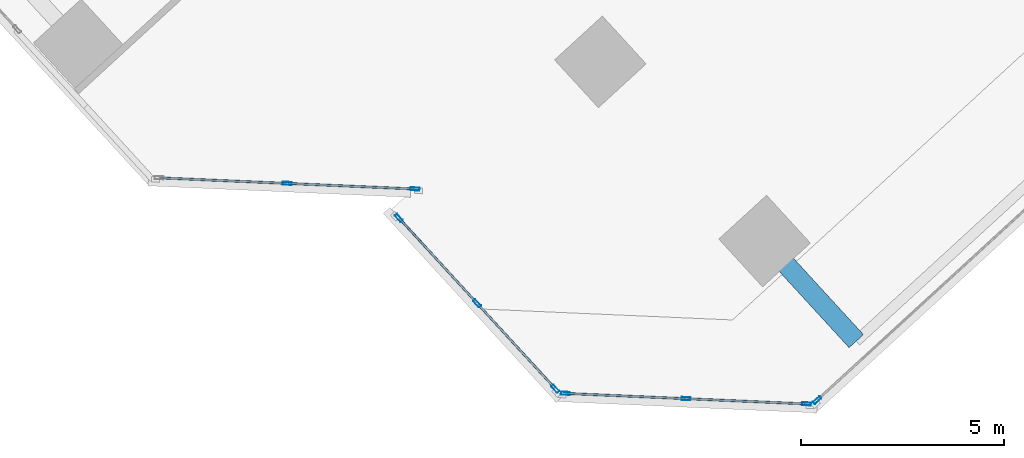
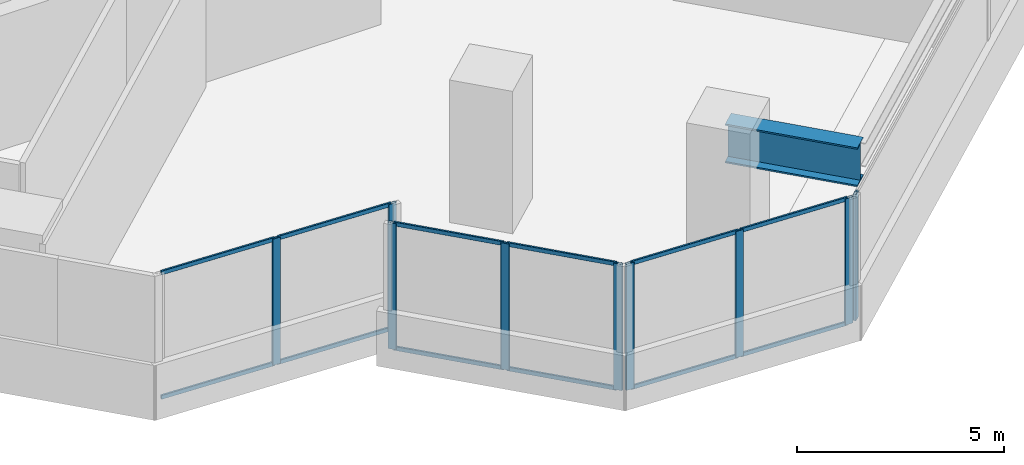
# One storey, part 3 of 17: 21 members, 1 beam, 4 elements without a shape of their own.
"""IFC4 building model written with IfcOpenShell, lengths in metres."""

from ifc_helpers import new_model, si_unit, direction, frame, origin, origin_2d, place, context, subcontext, project, spatial, hollow_rectangle, i_section, extrude, source, transform, mapped, material, material_profile, profile_set, type_object, element, aggregate, save


model = new_model("IFC4")

# Units and contexts
model_context = context("Model", 3, precision=1e-05, world=origin(), true_north=direction((0.0, 1.0)))
body_context = subcontext(model_context, "Body", "Model", "MODEL_VIEW")
ifc_project = project(units=[si_unit("LENGTHUNIT", "METRE"), si_unit("AREAUNIT", "SQUARE_METRE"), si_unit("VOLUMEUNIT", "CUBIC_METRE"), si_unit("PLANEANGLEUNIT", "RADIAN"), si_unit("MASSUNIT", "GRAM", prefix="KILO")], contexts=[model_context])

# Site, building, storey
site_placement = place(None, origin())
site = spatial("IfcSite", under=ifc_project, at=site_placement, CompositionType="ELEMENT")
building_placement = place(site_placement, origin())
building = spatial("IfcBuilding", under=site, at=building_placement, Name="Torre Montelarca", CompositionType="ELEMENT")
storey_placement = place(building_placement, frame((0.0, 0.0, 254.199951171875)))
storey = spatial("IfcBuildingStorey", under=building, at=storey_placement, Name="L57", CompositionType="ELEMENT", Elevation=254.199951171875)

# Beam
ifc_material_1 = material(Name="Steel ASTM A572 Grade 50", Category="steel")
ifc_material_profile_1 = material_profile(ifc_material_1, i_section(OverallWidth=0.47998046875, OverallDepth=1.14990234375, WebThickness=0.02197265625, FlangeThickness=0.044921875, at=origin_2d()), Name="PG1150X480X22X45", Category="steel")
ifc_profile_set_1 = profile_set([ifc_material_profile_1], Name="Steel ASTM A572 Grade 50")
beam_type = type_object("IfcBeamType", Name="BM-CG-PG1400-EXT", PredefinedType="USERDEFINED", material=ifc_profile_set_1)
shared_shape_1 = source(origin(), body_context, "Body", "SweptSolid", [
    extrude(i_section(OverallWidth=0.47998046875, OverallDepth=1.14990234375, WebThickness=0.02197265625, FlangeThickness=0.044921875, at=origin_2d()), origin(), (0.0, 0.0, 1.0), 3.35009765625),
])
beam_placement = place(storey_placement, frame((29.451416015625, 11.481201171875, 3.385009765625), z_axis=(0.675569509367, -0.737296302726, 0.0), x_axis=(0.737296302726, 0.675569509367, 0.0)))
element("IfcBeam", 1, at=beam_placement, inside=storey, type_object=beam_type, Name="L57 Sliding Tray Cantilever Girder East Y=24m (FLR)", ObjectType="CANTILEVER GIRDER", PredefinedType="USERDEFINED", context=body_context, shape_type="MappedRepresentation", body=[
    mapped(shared_shape_1, transform((0.0, 0.0, 0.0), scale=1.0)),
])

# Curtain wall, members
ifc_material_2 = material(Name="Insulated low-E laminated glass", Category="glass")
curtain_wall_type = type_object("IfcCurtainWallType", Name="CW-SYS-Z3", PredefinedType="USERDEFINED", material=ifc_material_2)
curtain_wall_1_placement = place(storey_placement, origin())
curtain_wall_1 = element("IfcCurtainWall", 2, at=curtain_wall_1_placement, inside=storey, type_object=curtain_wall_type, Name="L57 Curtain Wall Run CW-T3-L57-E02-B1", ObjectType="UNITISED GLAZING", PredefinedType="USERDEFINED")
ifc_material_3 = material(Name="Anodised aluminium AA 6063-T6", Category="aluminium")
ifc_material_profile_2 = material_profile(ifc_material_3, hollow_rectangle(XDim=0.054931640625, YDim=0.1201171875, WallThickness=0.00341796875, InnerFilletRadius=0.00341796875, OuterFilletRadius=0.007080078125, at=origin_2d()), Name="ALU55X120X3.5", Category="aluminium")
ifc_profile_set_2 = profile_set([ifc_material_profile_2], Name="Anodised aluminium AA 6063-T6")
member_type_1 = type_object("IfcMemberType", Name="CWT-ALU120", PredefinedType="USERDEFINED", material=ifc_profile_set_2)
shared_shape_2 = source(origin(), body_context, "Body", "SweptSolid", [
    extrude(hollow_rectangle(XDim=0.054931640625, YDim=0.1201171875, WallThickness=0.00341796875, InnerFilletRadius=0.00341796875, OuterFilletRadius=0.007080078125, at=origin_2d()), origin(), (0.0, 0.0, 1.0), 3.08740234375),
])
member_1_placement = place(storey_placement, frame((17.702880859375, 12.90283203125, 0.027587890625), z_axis=(0.999046885294, -0.043649982641, 0.0), x_axis=(0.043649982641, 0.999046885294, 0.0)))
member_1 = element("IfcMember", 3, at=member_1_placement, type_object=member_type_1, Name="CW transom 2.1", ObjectType="TRANSOM", PredefinedType="USERDEFINED", context=body_context, shape_type="MappedRepresentation", body=[
    mapped(shared_shape_2, transform((0.0, 0.0, 0.0), scale=1.0)),
])
member_2_placement = place(storey_placement, frame((17.702880859375, 12.90283203125, 3.692626953125), z_axis=(0.999046885294, -0.043649982641, 0.0), x_axis=(0.043649982641, 0.999046885294, 0.0)))
member_2 = element("IfcMember", 4, at=member_2_placement, type_object=member_type_1, Name="CW transom 2.2", ObjectType="TRANSOM", PredefinedType="USERDEFINED", context=body_context, shape_type="MappedRepresentation", body=[
    mapped(shared_shape_2, transform((0.0, 0.0, 0.0), scale=1.0)),
])

curtain_wall_2_placement = place(storey_placement, origin())
curtain_wall_2 = element("IfcCurtainWall", 5, at=curtain_wall_2_placement, inside=storey, type_object=curtain_wall_type, Name="L57 Curtain Wall Run CW-T3-L57-E05-B1", ObjectType="UNITISED GLAZING", PredefinedType="USERDEFINED")
shared_shape_3 = source(origin(), body_context, "Body", "SweptSolid", [
    extrude(hollow_rectangle(XDim=0.054931640625, YDim=0.1201171875, WallThickness=0.00341796875, InnerFilletRadius=0.00341796875, OuterFilletRadius=0.007080078125, at=origin_2d()), origin(), (0.0, 0.0, 1.0), 2.903564453125),
])
member_3_placement = place(storey_placement, frame((24.57373046875, 7.718994140625, 0.027587890625), z_axis=(0.999047412839, -0.043637906688, 0.0), x_axis=(0.043637906688, 0.999047412839, 0.0)))
member_3 = element("IfcMember", 6, at=member_3_placement, type_object=member_type_1, Name="CW transom 1.1", ObjectType="TRANSOM", PredefinedType="USERDEFINED", context=body_context, shape_type="MappedRepresentation", body=[
    mapped(shared_shape_3, transform((0.0, 0.0, 0.0), scale=1.0)),
])
member_4_placement = place(storey_placement, frame((24.57373046875, 7.718994140625, 3.692626953125), z_axis=(0.999047412839, -0.043637906688, 0.0), x_axis=(0.043637906688, 0.999047412839, 0.0)))
member_4 = element("IfcMember", 7, at=member_4_placement, type_object=member_type_1, Name="CW transom 1.2", ObjectType="TRANSOM", PredefinedType="USERDEFINED", context=body_context, shape_type="MappedRepresentation", body=[
    mapped(shared_shape_3, transform((0.0, 0.0, 0.0), scale=1.0)),
])
member_5_placement = place(storey_placement, frame((27.549560546875, 7.589111328125, 0.027587890625), z_axis=(0.999047412839, -0.043637906688, 0.0), x_axis=(0.043637906688, 0.999047412839, 0.0)))
member_5 = element("IfcMember", 8, at=member_5_placement, type_object=member_type_1, Name="CW transom 2.1", ObjectType="TRANSOM", PredefinedType="USERDEFINED", context=body_context, shape_type="MappedRepresentation", body=[
    mapped(shared_shape_3, transform((0.0, 0.0, 0.0), scale=1.0)),
])
member_6_placement = place(storey_placement, frame((27.549560546875, 7.589111328125, 3.692626953125), z_axis=(0.999047412839, -0.043637906688, 0.0), x_axis=(0.043637906688, 0.999047412839, 0.0)))
member_6 = element("IfcMember", 9, at=member_6_placement, type_object=member_type_1, Name="CW transom 2.2", ObjectType="TRANSOM", PredefinedType="USERDEFINED", context=body_context, shape_type="MappedRepresentation", body=[
    mapped(shared_shape_3, transform((0.0, 0.0, 0.0), scale=1.0)),
])

# Member
ifc_material_profile_3 = material_profile(ifc_material_3, hollow_rectangle(XDim=0.074951171875, YDim=0.219970703125, WallThickness=0.0048828125, InnerFilletRadius=0.0048828125, OuterFilletRadius=0.010009765625, at=origin_2d()), Name="ALU75X220X5", Category="aluminium")
ifc_profile_set_3 = profile_set([ifc_material_profile_3], Name="Anodised aluminium AA 6063-T6")
member_type_2 = type_object("IfcMemberType", Name="CWM-ALU220", PredefinedType="MULLION", material=ifc_profile_set_3)
shared_shape_4 = source(origin(), body_context, "Body", "SweptSolid", [
    extrude(hollow_rectangle(XDim=0.074951171875, YDim=0.219970703125, WallThickness=0.0048828125, InnerFilletRadius=0.0048828125, OuterFilletRadius=0.010009765625, at=origin_2d()), origin(), (0.0, 0.0, 1.0), 3.719970703125),
])
member_7_placement = place(storey_placement, frame((17.665283203125, 12.904296875, 0.0), z_axis=(0.0, 0.0, 1.0), x_axis=(0.043610133473, 0.999048625573, 0.0)))
member_7 = element("IfcMember", 10, at=member_7_placement, type_object=member_type_2, Name="CW mullion 2", PredefinedType="MULLION", context=body_context, shape_type="MappedRepresentation", body=[
    mapped(shared_shape_4, transform((0.0, 0.0, 0.0), scale=1.0)),
])

member_8_placement = place(storey_placement, frame((20.82470703125, 12.766357421875, 0.0), z_axis=(0.0, 0.0, 1.0), x_axis=(0.043610133473, 0.999048625573, 0.0)))
member_8 = element("IfcMember", 11, at=member_8_placement, type_object=member_type_2, Name="CW mullion 3", PredefinedType="MULLION", context=body_context, shape_type="MappedRepresentation", body=[
    mapped(shared_shape_4, transform((0.0, 0.0, 0.0), scale=1.0)),
])

# Curtain wall, members
curtain_wall_3_placement = place(storey_placement, origin())
curtain_wall_3 = element("IfcCurtainWall", 12, at=curtain_wall_3_placement, inside=storey, type_object=curtain_wall_type, Name="L57 Curtain Wall Run CW-T3-L57-E04-B1", ObjectType="UNITISED GLAZING", PredefinedType="USERDEFINED")
member_9_placement = place(storey_placement, frame((20.423583984375, 12.052734375, 0.0), z_axis=(0.0, 0.0, 1.0), x_axis=(0.737293151819, 0.675572948157, 0.0)))
member_9 = element("IfcMember", 13, at=member_9_placement, type_object=member_type_2, Name="CW mullion 1", PredefinedType="MULLION", context=body_context, shape_type="MappedRepresentation", body=[
    mapped(shared_shape_4, transform((0.0, 0.0, 0.0), scale=1.0)),
])
member_10_placement = place(storey_placement, frame((22.354736328125, 9.945068359375, 0.0), z_axis=(0.0, 0.0, 1.0), x_axis=(0.737293151819, 0.675572948157, 0.0)))
member_10 = element("IfcMember", 14, at=member_10_placement, type_object=member_type_2, Name="CW mullion 2", PredefinedType="MULLION", context=body_context, shape_type="MappedRepresentation", body=[
    mapped(shared_shape_4, transform((0.0, 0.0, 0.0), scale=1.0)),
])
member_11_placement = place(storey_placement, frame((24.285888671875, 7.83740234375, 0.0), z_axis=(0.0, 0.0, 1.0), x_axis=(0.737293151819, 0.675572948157, 0.0)))
member_11 = element("IfcMember", 15, at=member_11_placement, type_object=member_type_2, Name="CW mullion 3", PredefinedType="MULLION", context=body_context, shape_type="MappedRepresentation", body=[
    mapped(shared_shape_4, transform((0.0, 0.0, 0.0), scale=1.0)),
])

# Member
member_12_placement = place(storey_placement, frame((24.536376953125, 7.720703125, 0.0), z_axis=(0.0, 0.0, 1.0), x_axis=(0.043615635968, 0.999048385364, 0.0)))
member_12 = element("IfcMember", 16, at=member_12_placement, type_object=member_type_2, Name="CW mullion 1", PredefinedType="MULLION", context=body_context, shape_type="MappedRepresentation", body=[
    mapped(shared_shape_4, transform((0.0, 0.0, 0.0), scale=1.0)),
])

member_13_placement = place(storey_placement, frame((27.51220703125, 7.5908203125, 0.0), z_axis=(0.0, 0.0, 1.0), x_axis=(0.043615635968, 0.999048385364, 0.0)))
member_13 = element("IfcMember", 17, at=member_13_placement, type_object=member_type_2, Name="CW mullion 2", PredefinedType="MULLION", context=body_context, shape_type="MappedRepresentation", body=[
    mapped(shared_shape_4, transform((0.0, 0.0, 0.0), scale=1.0)),
])

member_14_placement = place(storey_placement, frame((30.488037109375, 7.4609375, 0.0), z_axis=(0.0, 0.0, 1.0), x_axis=(0.043615635968, 0.999048385364, 0.0)))
member_14 = element("IfcMember", 18, at=member_14_placement, type_object=member_type_2, Name="CW mullion 3", PredefinedType="MULLION", context=body_context, shape_type="MappedRepresentation", body=[
    mapped(shared_shape_4, transform((0.0, 0.0, 0.0), scale=1.0)),
])

aggregate(curtain_wall_2, [member_12, member_13, member_14, member_3, member_4, member_5, member_6])

# Curtain wall, member
curtain_wall_4_placement = place(storey_placement, origin())
curtain_wall_4 = element("IfcCurtainWall", 19, at=curtain_wall_4_placement, inside=storey, type_object=curtain_wall_type, Name="L57 Curtain Wall Run CW-T3-L57-E06-B1", ObjectType="UNITISED GLAZING", PredefinedType="USERDEFINED")
member_15_placement = place(storey_placement, frame((30.74755859375, 7.555419921875, 0.0), z_axis=(0.0, 0.0, 1.0), x_axis=(-0.675587287841, 0.73728001228, 0.0)))
member_15 = element("IfcMember", 20, at=member_15_placement, type_object=member_type_2, Name="CW mullion 1", PredefinedType="MULLION", context=body_context, shape_type="MappedRepresentation", body=[
    mapped(shared_shape_4, transform((0.0, 0.0, 0.0), scale=1.0)),
])
aggregate(curtain_wall_4, [member_15])

# Member
shared_shape_5 = source(origin(), body_context, "Body", "SweptSolid", [
    extrude(hollow_rectangle(XDim=0.054931640625, YDim=0.1201171875, WallThickness=0.00341796875, InnerFilletRadius=0.00341796875, OuterFilletRadius=0.007080078125, at=origin_2d()), origin(), (0.0, 0.0, 1.0), 2.78369140625),
])
member_16_placement = place(storey_placement, frame((22.380126953125, 9.917236328125, 0.027587890625), z_axis=(0.675605470832, -0.737263350359, 0.0), x_axis=(0.737263350359, 0.675605470832, 0.0)))
member_16 = element("IfcMember", 21, at=member_16_placement, type_object=member_type_1, Name="CW transom 2.1", ObjectType="TRANSOM", PredefinedType="USERDEFINED", context=body_context, shape_type="MappedRepresentation", body=[
    mapped(shared_shape_5, transform((0.0, 0.0, 0.0), scale=1.0)),
])

member_17_placement = place(storey_placement, frame((22.380126953125, 9.917236328125, 3.692626953125), z_axis=(0.675605470832, -0.737263350359, 0.0), x_axis=(0.737263350359, 0.675605470832, 0.0)))
member_17 = element("IfcMember", 22, at=member_17_placement, type_object=member_type_1, Name="CW transom 2.2", ObjectType="TRANSOM", PredefinedType="USERDEFINED", context=body_context, shape_type="MappedRepresentation", body=[
    mapped(shared_shape_5, transform((0.0, 0.0, 0.0), scale=1.0)),
])

shared_shape_6 = source(origin(), body_context, "Body", "SweptSolid", [
    extrude(hollow_rectangle(XDim=0.054931640625, YDim=0.1201171875, WallThickness=0.00341796875, InnerFilletRadius=0.00341796875, OuterFilletRadius=0.007080078125, at=origin_2d()), origin(), (0.0, 0.0, 1.0), 3.087646484375),
])
member_18_placement = place(storey_placement, frame((14.543212890625, 13.04052734375, 0.027587890625), z_axis=(0.99905048067, -0.043567614947, 0.0), x_axis=(0.043567614947, 0.99905048067, 0.0)))
member_18 = element("IfcMember", 23, at=member_18_placement, type_object=member_type_1, Name="CW transom 1.1", ObjectType="TRANSOM", PredefinedType="USERDEFINED", context=body_context, shape_type="MappedRepresentation", body=[
    mapped(shared_shape_6, transform((0.0, 0.0, 0.0), scale=1.0)),
])

member_19_placement = place(storey_placement, frame((14.543212890625, 13.04052734375, 3.692626953125), z_axis=(0.99905048067, -0.043567614947, 0.0), x_axis=(0.043567614947, 0.99905048067, 0.0)))
member_19 = element("IfcMember", 24, at=member_19_placement, type_object=member_type_1, Name="CW transom 1.2", ObjectType="TRANSOM", PredefinedType="USERDEFINED", context=body_context, shape_type="MappedRepresentation", body=[
    mapped(shared_shape_6, transform((0.0, 0.0, 0.0), scale=1.0)),
])

aggregate(curtain_wall_1, [member_7, member_8, member_18, member_19, member_1, member_2])

shared_shape_7 = source(origin(), body_context, "Body", "SweptSolid", [
    extrude(hollow_rectangle(XDim=0.054931640625, YDim=0.1201171875, WallThickness=0.00341796875, InnerFilletRadius=0.00341796875, OuterFilletRadius=0.007080078125, at=origin_2d()), origin(), (0.0, 0.0, 1.0), 2.783447265625),
])
member_20_placement = place(storey_placement, frame((20.448974609375, 12.02490234375, 0.027587890625), z_axis=(0.675557792928, -0.737307038088, 0.0), x_axis=(0.737307038088, 0.675557792928, 0.0)))
member_20 = element("IfcMember", 25, at=member_20_placement, type_object=member_type_1, Name="CW transom 1.1", ObjectType="TRANSOM", PredefinedType="USERDEFINED", context=body_context, shape_type="MappedRepresentation", body=[
    mapped(shared_shape_7, transform((0.0, 0.0, 0.0), scale=1.0)),
])

member_21_placement = place(storey_placement, frame((20.448974609375, 12.02490234375, 3.692626953125), z_axis=(0.675557792928, -0.737307038088, 0.0), x_axis=(0.737307038088, 0.675557792928, 0.0)))
member_21 = element("IfcMember", 26, at=member_21_placement, type_object=member_type_1, Name="CW transom 1.2", ObjectType="TRANSOM", PredefinedType="USERDEFINED", context=body_context, shape_type="MappedRepresentation", body=[
    mapped(shared_shape_7, transform((0.0, 0.0, 0.0), scale=1.0)),
])

aggregate(curtain_wall_3, [member_9, member_10, member_11, member_20, member_21, member_16, member_17])

save(model, "model.ifc")
